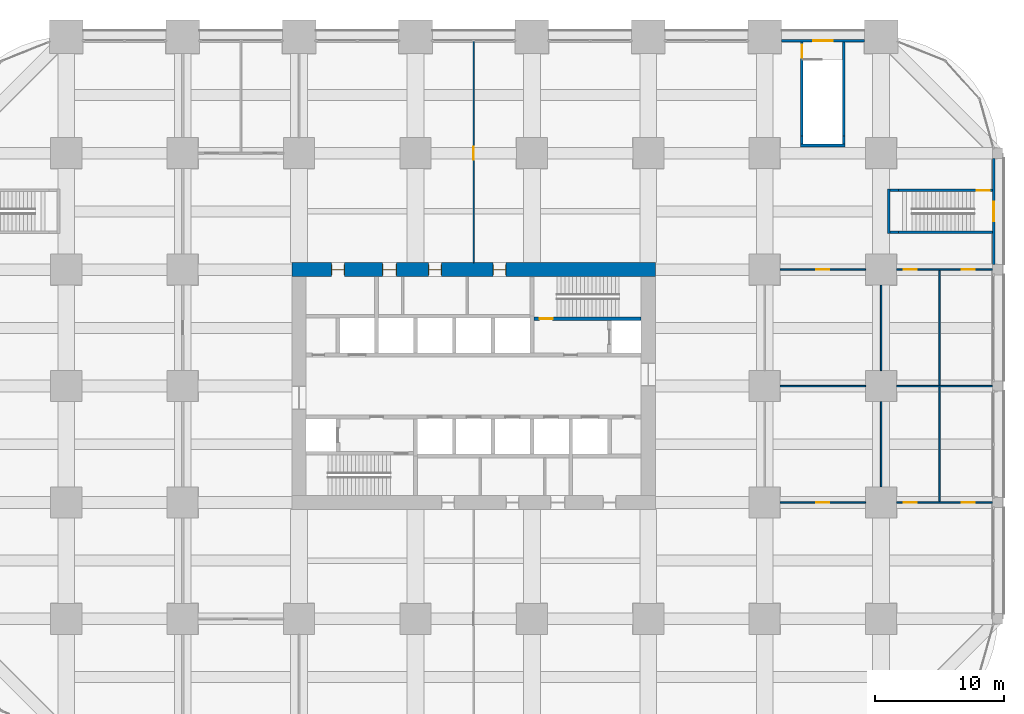
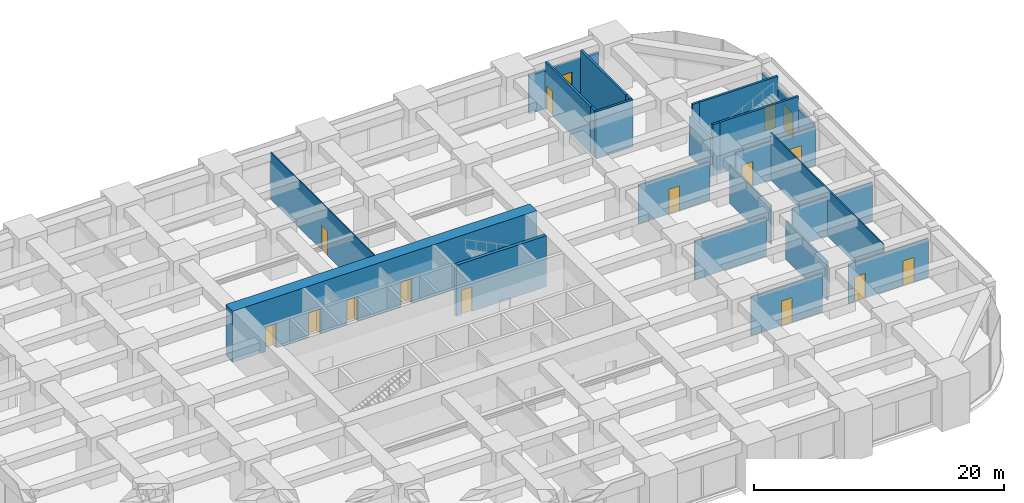
# One storey, part 43 of 46: 24 walls, 14 doors, 2 windows, 16 openings.
"""IFC4 building model written with IfcOpenShell, lengths in metres."""

from ifc_helpers import new_model, si_unit, direction, frame, frame_2d, origin, place, context, subcontext, project, spatial, rectangle, extrude, material, layer, layer_set, type_object, element, fill, save


model = new_model("IFC4")

# Units and contexts
model_context = context("Model", 3, precision=1e-05, world=origin(), true_north=direction((0.0, 1.0)))
body_context = subcontext(model_context, "Body", "Model", "MODEL_VIEW")
ifc_project = project(units=[si_unit("LENGTHUNIT", "METRE"), si_unit("AREAUNIT", "SQUARE_METRE"), si_unit("VOLUMEUNIT", "CUBIC_METRE"), si_unit("PLANEANGLEUNIT", "RADIAN"), si_unit("MASSUNIT", "GRAM", prefix="KILO")], contexts=[model_context])

# Site, building, storey
site_placement = place(None, origin())
site = spatial("IfcSite", under=ifc_project, at=site_placement, CompositionType="ELEMENT")
building_placement = place(site_placement, origin())
building = spatial("IfcBuilding", under=site, at=building_placement, Name="Zorevar Civic Tower", CompositionType="ELEMENT")
storey_placement = place(building_placement, frame((0.0, 0.0, 10.800048828125)))
storey = spatial("IfcBuildingStorey", under=building, at=storey_placement, Name="L02", CompositionType="ELEMENT", Elevation=10.800048828125)

# Walls
ifc_material_1 = material(Name="Concrete blockwork", Category="masonry")
ifc_layer_1 = layer(ifc_material_1, 0.199951171875)
ifc_layer_set_1 = layer_set([ifc_layer_1], Name="Blockwork wall 200")
wall_type_1 = type_object("IfcWallType", Name="Blockwork wall 200", PredefinedType="SOLIDWALL", material=ifc_layer_set_1)
for number, where, z_axis, x_axis, name in (
    (1, (64.35009765625, 42.125, 0.0), (0.0, 0.0, 1.0), (-1.0, 0.0, 0.0), "Escape stair PS2 enclosure L02"),
    (2, (64.35009765625, 38.875, 0.0), (0.0, 0.0, 1.0), (-1.0, 0.0, 0.0), "Escape stair PS2 enclosure L02"),
):
    element("IfcWall", number, at=place(storey_placement, frame(where, z_axis=z_axis, x_axis=x_axis)), inside=storey, type_object=wall_type_1, Name=name, PredefinedType="SOLIDWALL", context=body_context, shape_type="SweptSolid", body=[
        extrude(rectangle(XDim=0.650146484375, YDim=0.199951171875, at=frame_2d((0.3251953125, 0.0))), origin(), (0.0, 0.0, 1.0), 5.0),
    ])
wall_1_placement = place(storey_placement, frame((63.60009765625, 42.22509765625, 0.0), z_axis=(0.0, 0.0, 1.0), x_axis=(0.0, -1.0, 0.0)))
element("IfcWall", 3, at=wall_1_placement, inside=storey, type_object=wall_type_1, Name="Escape stair PS2 enclosure L02", PredefinedType="SOLIDWALL", context=body_context, shape_type="SweptSolid", body=[
    extrude(rectangle(XDim=3.4501953125, YDim=0.199951171875, at=frame_2d((1.72509765625, 0.0))), origin(), (0.0, 0.0, 1.0), 3.800048828125),
])
for number, where, z_axis, x_axis, name in (
    (4, (56.875, 46.35009765625, 0.0), (0.0, 0.0, 1.0), (0.0, -1.0, 0.0), "Escape stair PS3 enclosure L02"),
    (5, (60.125, 46.35009765625, 0.0), (0.0, 0.0, 1.0), (0.0, -1.0, 0.0), "Escape stair PS3 enclosure L02"),
):
    element("IfcWall", number, at=place(storey_placement, frame(where, z_axis=z_axis, x_axis=x_axis)), inside=storey, type_object=wall_type_1, Name=name, PredefinedType="SOLIDWALL", context=body_context, shape_type="SweptSolid", body=[
        extrude(rectangle(XDim=0.650146484375, YDim=0.199951171875, at=frame_2d((0.3251953125, 0.0))), origin(), (0.0, 0.0, 1.0), 4.599853515625),
    ])
wall_2_placement = place(storey_placement, frame((56.77490234375, 45.60009765625, 0.0), z_axis=(0.0, 0.0, 1.0), x_axis=(1.0, 0.0, 0.0)))
element("IfcWall", 6, at=wall_2_placement, inside=storey, type_object=wall_type_1, Name="Escape stair PS3 enclosure L02", PredefinedType="SOLIDWALL", context=body_context, shape_type="SweptSolid", body=[
    extrude(rectangle(XDim=3.4501953125, YDim=0.199951171875, at=frame_2d((1.72509765625, 0.0))), origin(), (0.0, 0.0, 1.0), 4.599853515625),
])

# Wall, openings, doors
ifc_material_2 = material(Name="Concrete C50/60", Category="concrete")
ifc_layer_2 = layer(ifc_material_2, 1.10009765625)
ifc_layer_set_2 = layer_set([ifc_layer_2], Name="Core wall 1100")
wall_type_2 = type_object("IfcWallType", Name="Core wall 1100", PredefinedType="SHEAR", material=ifc_layer_set_2)
wall_3_placement = place(storey_placement, frame((45.550048828125, 36.0, 0.0), z_axis=(0.0, 0.0, 1.0), x_axis=(-1.0, 0.0, 0.0)))
wall_3 = element("IfcWall", 7, at=wall_3_placement, inside=storey, type_object=wall_type_2, Name="Core wall N L02", PredefinedType="SHEAR", context=body_context, shape_type="SweptSolid", body=[
    extrude(rectangle(XDim=28.10009765625, YDim=1.10009765625, at=frame_2d((14.050048828125, 0.0))), origin(), (0.0, 0.0, 1.0), 5.0),
])
opening_1_placement = place(wall_3_placement, frame((11.550048828125, 0.0, 0.0)))
opening_1 = element("IfcOpeningElement", 8, at=opening_1_placement, cuts=wall_3, Name="Opening L02.07", PredefinedType="OPENING", context=body_context, shape_type="SweptSolid", body=[
    extrude(rectangle(XDim=1.0, YDim=2.39990234375, at=frame_2d((0.5, 1.199951171875))), frame((0.0, 0.56005859375, 0.0), z_axis=(0.0, -1.0, 0.0), x_axis=(1.0, 0.0, 0.0)), (0.0, 0.0, 1.0), 1.1201171875),
])
opening_2_placement = place(wall_3_placement, frame((16.550048828125, 0.0, 0.0)))
opening_2 = element("IfcOpeningElement", 9, at=opening_2_placement, cuts=wall_3, Name="Opening L02.08", PredefinedType="OPENING", context=body_context, shape_type="SweptSolid", body=[
    extrude(rectangle(XDim=1.0, YDim=2.39990234375, at=frame_2d((0.5, 1.199951171875))), frame((0.0, 0.56005859375, 0.0), z_axis=(0.0, -1.0, 0.0), x_axis=(1.0, 0.0, 0.0)), (0.0, 0.0, 1.0), 1.1201171875),
])
opening_3_placement = place(wall_3_placement, frame((20.0, 0.0, 0.0)))
opening_3 = element("IfcOpeningElement", 10, at=opening_3_placement, cuts=wall_3, Name="Opening L02.09", PredefinedType="OPENING", context=body_context, shape_type="SweptSolid", body=[
    extrude(rectangle(XDim=1.10009765625, YDim=2.39990234375, at=frame_2d((0.550048828125, 1.199951171875))), frame((0.0, 0.56005859375, 0.0), z_axis=(0.0, -1.0, 0.0), x_axis=(1.0, 0.0, 0.0)), (0.0, 0.0, 1.0), 1.1201171875),
])
opening_4_placement = place(wall_3_placement, frame((24.050048828125, 0.0, 0.0)))
opening_4 = element("IfcOpeningElement", 11, at=opening_4_placement, cuts=wall_3, Name="Opening L02.10", PredefinedType="OPENING", context=body_context, shape_type="SweptSolid", body=[
    extrude(rectangle(XDim=1.0, YDim=2.39990234375, at=frame_2d((0.5, 1.199951171875))), frame((0.0, 0.56005859375, 0.0), z_axis=(0.0, -1.0, 0.0), x_axis=(1.0, 0.0, 0.0)), (0.0, 0.0, 1.0), 1.1201171875),
])
ifc_material_3 = material(Name="Timber door set", Category="wood")
door_type_1 = type_object("IfcDoorType", Name="Door D1 1000x2400", OperationType="SINGLE_SWING_LEFT", PredefinedType="DOOR", material=ifc_material_3)
door_1_placement = place(opening_1_placement, origin())
door_1 = element("IfcDoor", 12, at=door_1_placement, inside=storey, type_object=door_type_1, Name="Door L02 06", OperationType="SINGLE_SWING_LEFT", OverallHeight=2.39990234375, OverallWidth=1.0, PredefinedType="DOOR", context=body_context, shape_type="SweptSolid", body=[
    extrude(rectangle(XDim=1.0, YDim=2.39990234375, at=frame_2d((0.5, 1.199951171875))), frame((0.0, 0.02490234375, 0.0), z_axis=(0.0, -1.0, 0.0), x_axis=(1.0, 0.0, 0.0)), (0.0, 0.0, 1.0), 0.050048828125),
    extrude(rectangle(XDim=0.04, YDim=2.39990234375, at=frame_2d((0.02001953125, 1.199951171875))), frame((0.0, 0.39990234375, 0.0), z_axis=(0.0, -1.0, 0.0), x_axis=(1.0, 0.0, 0.0)), (0.0, 0.0, 1.0), 0.800048828125),
    extrude(rectangle(XDim=0.04, YDim=2.39990234375, at=frame_2d((0.97998046875, 1.199951171875))), frame((0.0, 0.39990234375, 0.0), z_axis=(0.0, -1.0, 0.0), x_axis=(1.0, 0.0, 0.0)), (0.0, 0.0, 1.0), 0.800048828125),
    extrude(rectangle(XDim=1.0, YDim=0.04, at=frame_2d((0.5, 2.3798828125))), frame((0.0, 0.39990234375, 0.0), z_axis=(0.0, -1.0, 0.0), x_axis=(1.0, 0.0, 0.0)), (0.0, 0.0, 1.0), 0.800048828125),
])
fill(opening_1, door_1)
door_2_placement = place(opening_2_placement, origin())
door_2 = element("IfcDoor", 13, at=door_2_placement, inside=storey, type_object=door_type_1, Name="Door L02 07", OperationType="SINGLE_SWING_RIGHT", OverallHeight=2.39990234375, OverallWidth=1.0, PredefinedType="DOOR", context=body_context, shape_type="SweptSolid", body=[
    extrude(rectangle(XDim=1.0, YDim=2.39990234375, at=frame_2d((0.5, 1.199951171875))), frame((0.0, 0.02490234375, 0.0), z_axis=(0.0, -1.0, 0.0), x_axis=(1.0, 0.0, 0.0)), (0.0, 0.0, 1.0), 0.050048828125),
    extrude(rectangle(XDim=0.04, YDim=2.39990234375, at=frame_2d((0.02001953125, 1.199951171875))), frame((0.0, 0.39990234375, 0.0), z_axis=(0.0, -1.0, 0.0), x_axis=(1.0, 0.0, 0.0)), (0.0, 0.0, 1.0), 0.800048828125),
    extrude(rectangle(XDim=0.04, YDim=2.39990234375, at=frame_2d((0.97998046875, 1.199951171875))), frame((0.0, 0.39990234375, 0.0), z_axis=(0.0, -1.0, 0.0), x_axis=(1.0, 0.0, 0.0)), (0.0, 0.0, 1.0), 0.800048828125),
    extrude(rectangle(XDim=1.0, YDim=0.04, at=frame_2d((0.5, 2.3798828125))), frame((0.0, 0.39990234375, 0.0), z_axis=(0.0, -1.0, 0.0), x_axis=(1.0, 0.0, 0.0)), (0.0, 0.0, 1.0), 0.800048828125),
])
fill(opening_2, door_2)
door_3_placement = place(opening_4_placement, origin())
door_3 = element("IfcDoor", 14, at=door_3_placement, inside=storey, type_object=door_type_1, Name="Door L02 09", OperationType="SINGLE_SWING_RIGHT", OverallHeight=2.39990234375, OverallWidth=1.0, PredefinedType="DOOR", context=body_context, shape_type="SweptSolid", body=[
    extrude(rectangle(XDim=1.0, YDim=2.39990234375, at=frame_2d((0.5, 1.199951171875))), frame((0.0, 0.02490234375, 0.0), z_axis=(0.0, -1.0, 0.0), x_axis=(1.0, 0.0, 0.0)), (0.0, 0.0, 1.0), 0.050048828125),
    extrude(rectangle(XDim=0.04, YDim=2.39990234375, at=frame_2d((0.02001953125, 1.199951171875))), frame((0.0, 0.39990234375, 0.0), z_axis=(0.0, -1.0, 0.0), x_axis=(1.0, 0.0, 0.0)), (0.0, 0.0, 1.0), 0.800048828125),
    extrude(rectangle(XDim=0.04, YDim=2.39990234375, at=frame_2d((0.97998046875, 1.199951171875))), frame((0.0, 0.39990234375, 0.0), z_axis=(0.0, -1.0, 0.0), x_axis=(1.0, 0.0, 0.0)), (0.0, 0.0, 1.0), 0.800048828125),
    extrude(rectangle(XDim=1.0, YDim=0.04, at=frame_2d((0.5, 2.3798828125))), frame((0.0, 0.39990234375, 0.0), z_axis=(0.0, -1.0, 0.0), x_axis=(1.0, 0.0, 0.0)), (0.0, 0.0, 1.0), 0.800048828125),
])
fill(opening_4, door_3)
ifc_material_4 = material(Name="Timber door set", Category="wood")
door_type_2 = type_object("IfcDoorType", Name="Door D5 1100x2400", OperationType="SINGLE_SWING_LEFT", PredefinedType="DOOR", material=ifc_material_4)
door_4_placement = place(opening_3_placement, origin())
door_4 = element("IfcDoor", 15, at=door_4_placement, inside=storey, type_object=door_type_2, Name="Door L02 08", OperationType="SINGLE_SWING_RIGHT", OverallHeight=2.39990234375, OverallWidth=1.10009765625, PredefinedType="DOOR", context=body_context, shape_type="SweptSolid", body=[
    extrude(rectangle(XDim=1.10009765625, YDim=2.39990234375, at=frame_2d((0.550048828125, 1.199951171875))), frame((0.0, 0.02490234375, 0.0), z_axis=(0.0, -1.0, 0.0), x_axis=(1.0, 0.0, 0.0)), (0.0, 0.0, 1.0), 0.050048828125),
    extrude(rectangle(XDim=0.04, YDim=2.39990234375, at=frame_2d((0.02001953125, 1.199951171875))), frame((0.0, 0.43994140625, 0.0), z_axis=(0.0, -1.0, 0.0), x_axis=(1.0, 0.0, 0.0)), (0.0, 0.0, 1.0), 0.880126953125),
    extrude(rectangle(XDim=0.04, YDim=2.39990234375, at=frame_2d((1.080078125, 1.199951171875))), frame((0.0, 0.43994140625, 0.0), z_axis=(0.0, -1.0, 0.0), x_axis=(1.0, 0.0, 0.0)), (0.0, 0.0, 1.0), 0.880126953125),
    extrude(rectangle(XDim=1.10009765625, YDim=0.04, at=frame_2d((0.550048828125, 2.3798828125))), frame((0.0, 0.43994140625, 0.0), z_axis=(0.0, -1.0, 0.0), x_axis=(1.0, 0.0, 0.0)), (0.0, 0.0, 1.0), 0.880126953125),
])
fill(opening_3, door_4)

# Wall, opening, door
ifc_material_5 = material(Name="Laminated glass in black aluminium frame", Category="aluminium")
ifc_layer_3 = layer(ifc_material_5, 0.10009765625)
ifc_layer_set_3 = layer_set([ifc_layer_3], Name="Glazed partition 100")
wall_type_3 = type_object("IfcWallType", Name="Glazed partition 100", PredefinedType="PARTITIONING", material=ifc_layer_set_3)
wall_4_placement = place(storey_placement, frame((31.5, 36.550048828125, 0.0), z_axis=(0.0, 0.0, 1.0), x_axis=(0.0, 1.0, 0.0)))
wall_4 = element("IfcWall", 16, at=wall_4_placement, inside=storey, type_object=wall_type_3, Name="Glazed partition 100 L02", PredefinedType="PARTITIONING", context=body_context, shape_type="SweptSolid", body=[
    extrude(rectangle(XDim=17.139892578125, YDim=0.10009765625, at=frame_2d((8.56982421875, 0.0))), origin(), (0.0, 0.0, 1.0), 4.599853515625),
])
opening_5_placement = place(wall_4_placement, frame((7.949951171875, 0.0, 0.0)))
opening_5 = element("IfcOpeningElement", 17, at=opening_5_placement, cuts=wall_4, Name="Opening L02.28", PredefinedType="OPENING", context=body_context, shape_type="SweptSolid", body=[
    extrude(rectangle(XDim=1.0, YDim=2.39990234375, at=frame_2d((0.5, 1.199951171875))), frame((0.0, 0.06005859375, 0.0), z_axis=(0.0, -1.0, 0.0), x_axis=(1.0, 0.0, 0.0)), (0.0, 0.0, 1.0), 0.1201171875),
])
ifc_material_6 = material(Name="Timber door set", Category="wood")
door_type_3 = type_object("IfcDoorType", Name="Glazed door GD1 1000x2400", OperationType="SINGLE_SWING_LEFT", PredefinedType="DOOR", material=ifc_material_6)
door_5_placement = place(opening_5_placement, origin())
door_5 = element("IfcDoor", 18, at=door_5_placement, inside=storey, type_object=door_type_3, Name="Door L02 D12", OperationType="SINGLE_SWING_LEFT", OverallHeight=2.39990234375, OverallWidth=1.0, PredefinedType="DOOR", context=body_context, shape_type="SweptSolid", body=[
    extrude(rectangle(XDim=1.0, YDim=2.39990234375, at=frame_2d((0.5, 1.199951171875))), frame((0.0, 0.02001953125, 0.0), z_axis=(0.0, -1.0, 0.0), x_axis=(1.0, 0.0, 0.0)), (0.0, 0.0, 1.0), 0.0400390625),
])
fill(opening_5, door_5)

ifc_material_7 = material(Name="Concrete C40/50", Category="concrete")
ifc_layer_4 = layer(ifc_material_7, 0.300048828125)
ifc_layer_set_4 = layer_set([ifc_layer_4], Name="Inner core wall 300")
wall_type_4 = type_object("IfcWallType", Name="Inner core wall 300", PredefinedType="SHEAR", material=ifc_layer_set_4)
wall_5_placement = place(storey_placement, frame((36.14990234375, 32.199951171875, 0.0), z_axis=(0.0, 0.0, 1.0), x_axis=(1.0, 0.0, 0.0)))
wall_5 = element("IfcWall", 19, at=wall_5_placement, inside=storey, type_object=wall_type_4, Name="Inner core wall N00 L02", PredefinedType="SHEAR", context=body_context, shape_type="SweptSolid", body=[
    extrude(rectangle(XDim=8.300048828125, YDim=0.300048828125, at=frame_2d((4.14990234375, 0.0))), origin(), (0.0, 0.0, 1.0), 5.0),
])
opening_6_placement = place(wall_5_placement, frame((0.449951171875, 0.0, 0.0)))
opening_6 = element("IfcOpeningElement", 20, at=opening_6_placement, cuts=wall_5, Name="Opening L02.12", PredefinedType="OPENING", context=body_context, shape_type="SweptSolid", body=[
    extrude(rectangle(XDim=1.0, YDim=2.39990234375, at=frame_2d((0.5, 1.199951171875))), frame((0.0, 0.159912109375, 0.0), z_axis=(0.0, -1.0, 0.0), x_axis=(1.0, 0.0, 0.0)), (0.0, 0.0, 1.0), 0.320068359375),
])
ifc_material_8 = material(Name="Steel door set", Category="steel")
door_type_4 = type_object("IfcDoorType", Name="Fire door FD1 1000x2400", OperationType="SINGLE_SWING_LEFT", PredefinedType="DOOR", material=ifc_material_8)
door_6_placement = place(opening_6_placement, origin())
door_6 = element("IfcDoor", 21, at=door_6_placement, inside=storey, type_object=door_type_4, Name="Door L02 11", OperationType="SINGLE_SWING_RIGHT", OverallHeight=2.39990234375, OverallWidth=1.0, PredefinedType="DOOR", context=body_context, shape_type="SweptSolid", body=[
    extrude(rectangle(XDim=1.0, YDim=2.39990234375, at=frame_2d((0.5, 1.199951171875))), frame((0.0, 0.030029296875, 0.0), z_axis=(0.0, -1.0, 0.0), x_axis=(1.0, 0.0, 0.0)), (0.0, 0.0, 1.0), 0.06005859375),
])
fill(opening_6, door_6)

ifc_material_9 = material(Name="Gypsum board on steel studs", Category="steel")
ifc_layer_5 = layer(ifc_material_9, 0.1201171875)
ifc_layer_set_5 = layer_set([ifc_layer_5], Name="Partition 120")
wall_type_5 = type_object("IfcWallType", Name="Partition 120", PredefinedType="PARTITIONING", material=ifc_layer_set_5)
wall_6_placement = place(storey_placement, frame((55.199951171875, 18.0, 0.0), z_axis=(0.0, 0.0, 1.0), x_axis=(1.0, 0.0, 0.0)))
wall_6 = element("IfcWall", 22, at=wall_6_placement, inside=storey, type_object=wall_type_5, Name="Partition 120 L02", PredefinedType="PARTITIONING", context=body_context, shape_type="SweptSolid", body=[
    extrude(rectangle(XDim=6.60009765625, YDim=0.1201171875, at=frame_2d((3.300048828125, 0.0))), origin(), (0.0, 0.0, 1.0), 3.800048828125),
])
opening_7_placement = place(wall_6_placement, frame((2.800048828125, 0.0, 0.0)))
opening_7 = element("IfcOpeningElement", 23, at=opening_7_placement, cuts=wall_6, Name="Opening L02.21", PredefinedType="OPENING", context=body_context, shape_type="SweptSolid", body=[
    extrude(rectangle(XDim=1.0, YDim=2.39990234375, at=frame_2d((0.5, 1.199951171875))), frame((0.0, 0.070068359375, 0.0), z_axis=(0.0, -1.0, 0.0), x_axis=(1.0, 0.0, 0.0)), (0.0, 0.0, 1.0), 0.14013671875),
])
door_7_placement = place(opening_7_placement, origin())
door_7 = element("IfcDoor", 24, at=door_7_placement, inside=storey, type_object=door_type_1, Name="Door L02 D5", OperationType="SINGLE_SWING_RIGHT", OverallHeight=2.39990234375, OverallWidth=1.0, PredefinedType="DOOR", context=body_context, shape_type="SweptSolid", body=[
    extrude(rectangle(XDim=1.0, YDim=2.39990234375, at=frame_2d((0.5, 1.199951171875))), frame((0.0, 0.02490234375, 0.0), z_axis=(0.0, -1.0, 0.0), x_axis=(1.0, 0.0, 0.0)), (0.0, 0.0, 1.0), 0.050048828125),
])
fill(opening_7, door_7)

# Wall, openings, doors
wall_7_placement = place(storey_placement, frame((64.199951171875, 18.0, 0.0), z_axis=(0.0, 0.0, 1.0), x_axis=(1.0, 0.0, 0.0)))
wall_7 = element("IfcWall", 25, at=wall_7_placement, inside=storey, type_object=wall_type_5, Name="Partition 120 L02", PredefinedType="PARTITIONING", context=body_context, shape_type="SweptSolid", body=[
    extrude(rectangle(XDim=7.400146484375, YDim=0.1201171875, at=frame_2d((3.7001953125, 0.0))), origin(), (0.0, 0.0, 1.0), 3.800048828125),
])
opening_8_placement = place(wall_7_placement, frame((0.550048828125, 0.0, 0.0)))
opening_8 = element("IfcOpeningElement", 26, at=opening_8_placement, cuts=wall_7, Name="Opening L02.22", PredefinedType="OPENING", context=body_context, shape_type="SweptSolid", body=[
    extrude(rectangle(XDim=1.0, YDim=2.39990234375, at=frame_2d((0.5, 1.199951171875))), frame((0.0, 0.070068359375, 0.0), z_axis=(0.0, -1.0, 0.0), x_axis=(1.0, 0.0, 0.0)), (0.0, 0.0, 1.0), 0.14013671875),
])
opening_9_placement = place(wall_7_placement, frame((5.050048828125, 0.0, 0.0)))
opening_9 = element("IfcOpeningElement", 27, at=opening_9_placement, cuts=wall_7, Name="Opening L02.23", PredefinedType="OPENING", context=body_context, shape_type="SweptSolid", body=[
    extrude(rectangle(XDim=1.0, YDim=2.39990234375, at=frame_2d((0.5, 1.199951171875))), frame((0.0, 0.070068359375, 0.0), z_axis=(0.0, -1.0, 0.0), x_axis=(1.0, 0.0, 0.0)), (0.0, 0.0, 1.0), 0.14013671875),
])
door_8_placement = place(opening_8_placement, origin())
door_8 = element("IfcDoor", 28, at=door_8_placement, inside=storey, type_object=door_type_1, Name="Door L02 D6", OperationType="SINGLE_SWING_LEFT", OverallHeight=2.39990234375, OverallWidth=1.0, PredefinedType="DOOR", context=body_context, shape_type="SweptSolid", body=[
    extrude(rectangle(XDim=1.0, YDim=2.39990234375, at=frame_2d((0.5, 1.199951171875))), frame((0.0, 0.02490234375, 0.0), z_axis=(0.0, -1.0, 0.0), x_axis=(1.0, 0.0, 0.0)), (0.0, 0.0, 1.0), 0.050048828125),
])
fill(opening_8, door_8)
door_9_placement = place(opening_9_placement, origin())
door_9 = element("IfcDoor", 29, at=door_9_placement, inside=storey, type_object=door_type_1, Name="Door L02 D7", OperationType="SINGLE_SWING_RIGHT", OverallHeight=2.39990234375, OverallWidth=1.0, PredefinedType="DOOR", context=body_context, shape_type="SweptSolid", body=[
    extrude(rectangle(XDim=1.0, YDim=2.39990234375, at=frame_2d((0.5, 1.199951171875))), frame((0.0, 0.02490234375, 0.0), z_axis=(0.0, -1.0, 0.0), x_axis=(1.0, 0.0, 0.0)), (0.0, 0.0, 1.0), 0.050048828125),
])
fill(opening_9, door_9)

# Wall, opening, door
wall_8_placement = place(storey_placement, frame((55.199951171875, 36.0, 0.0), z_axis=(0.0, 0.0, 1.0), x_axis=(1.0, 0.0, 0.0)))
wall_8 = element("IfcWall", 30, at=wall_8_placement, inside=storey, type_object=wall_type_5, Name="Partition 120 L02", PredefinedType="PARTITIONING", context=body_context, shape_type="SweptSolid", body=[
    extrude(rectangle(XDim=6.60009765625, YDim=0.1201171875, at=frame_2d((3.300048828125, 0.0))), origin(), (0.0, 0.0, 1.0), 3.800048828125),
])
opening_10_placement = place(wall_8_placement, frame((2.800048828125, 0.0, 0.0)))
opening_10 = element("IfcOpeningElement", 31, at=opening_10_placement, cuts=wall_8, Name="Opening L02.24", PredefinedType="OPENING", context=body_context, shape_type="SweptSolid", body=[
    extrude(rectangle(XDim=1.0, YDim=2.39990234375, at=frame_2d((0.5, 1.199951171875))), frame((0.0, 0.070068359375, 0.0), z_axis=(0.0, -1.0, 0.0), x_axis=(1.0, 0.0, 0.0)), (0.0, 0.0, 1.0), 0.14013671875),
])
door_10_placement = place(opening_10_placement, origin())
door_10 = element("IfcDoor", 32, at=door_10_placement, inside=storey, type_object=door_type_1, Name="Door L02 D8", OperationType="SINGLE_SWING_RIGHT", OverallHeight=2.39990234375, OverallWidth=1.0, PredefinedType="DOOR", context=body_context, shape_type="SweptSolid", body=[
    extrude(rectangle(XDim=1.0, YDim=2.39990234375, at=frame_2d((0.5, 1.199951171875))), frame((0.0, 0.02490234375, 0.0), z_axis=(0.0, -1.0, 0.0), x_axis=(1.0, 0.0, 0.0)), (0.0, 0.0, 1.0), 0.050048828125),
])
fill(opening_10, door_10)

# Wall, openings, doors
wall_9_placement = place(storey_placement, frame((64.199951171875, 36.0, 0.0), z_axis=(0.0, 0.0, 1.0), x_axis=(1.0, 0.0, 0.0)))
wall_9 = element("IfcWall", 33, at=wall_9_placement, inside=storey, type_object=wall_type_5, Name="Partition 120 L02", PredefinedType="PARTITIONING", context=body_context, shape_type="SweptSolid", body=[
    extrude(rectangle(XDim=7.400146484375, YDim=0.1201171875, at=frame_2d((3.7001953125, 0.0))), origin(), (0.0, 0.0, 1.0), 3.800048828125),
])
opening_11_placement = place(wall_9_placement, frame((0.550048828125, 0.0, 0.0)))
opening_11 = element("IfcOpeningElement", 34, at=opening_11_placement, cuts=wall_9, Name="Opening L02.25", PredefinedType="OPENING", context=body_context, shape_type="SweptSolid", body=[
    extrude(rectangle(XDim=1.0, YDim=2.39990234375, at=frame_2d((0.5, 1.199951171875))), frame((0.0, 0.070068359375, 0.0), z_axis=(0.0, -1.0, 0.0), x_axis=(1.0, 0.0, 0.0)), (0.0, 0.0, 1.0), 0.14013671875),
])
opening_12_placement = place(wall_9_placement, frame((5.050048828125, 0.0, 0.0)))
opening_12 = element("IfcOpeningElement", 35, at=opening_12_placement, cuts=wall_9, Name="Opening L02.26", PredefinedType="OPENING", context=body_context, shape_type="SweptSolid", body=[
    extrude(rectangle(XDim=1.0, YDim=2.39990234375, at=frame_2d((0.5, 1.199951171875))), frame((0.0, 0.070068359375, 0.0), z_axis=(0.0, -1.0, 0.0), x_axis=(1.0, 0.0, 0.0)), (0.0, 0.0, 1.0), 0.14013671875),
])
door_11_placement = place(opening_11_placement, origin())
door_11 = element("IfcDoor", 36, at=door_11_placement, inside=storey, type_object=door_type_1, Name="Door L02 D9", OperationType="SINGLE_SWING_RIGHT", OverallHeight=2.39990234375, OverallWidth=1.0, PredefinedType="DOOR", context=body_context, shape_type="SweptSolid", body=[
    extrude(rectangle(XDim=1.0, YDim=2.39990234375, at=frame_2d((0.5, 1.199951171875))), frame((0.0, 0.02490234375, 0.0), z_axis=(0.0, -1.0, 0.0), x_axis=(1.0, 0.0, 0.0)), (0.0, 0.0, 1.0), 0.050048828125),
])
fill(opening_11, door_11)
door_12_placement = place(opening_12_placement, origin())
door_12 = element("IfcDoor", 37, at=door_12_placement, inside=storey, type_object=door_type_1, Name="Door L02 D10", OperationType="SINGLE_SWING_LEFT", OverallHeight=2.39990234375, OverallWidth=1.0, PredefinedType="DOOR", context=body_context, shape_type="SweptSolid", body=[
    extrude(rectangle(XDim=1.0, YDim=2.39990234375, at=frame_2d((0.5, 1.199951171875))), frame((0.0, 0.02490234375, 0.0), z_axis=(0.0, -1.0, 0.0), x_axis=(1.0, 0.0, 0.0)), (0.0, 0.0, 1.0), 0.050048828125),
])
fill(opening_12, door_12)

# Walls
wall_10_placement = place(storey_placement, frame((55.199951171875, 27.0, 0.0), z_axis=(0.0, 0.0, 1.0), x_axis=(1.0, 0.0, 0.0)))
element("IfcWall", 38, at=wall_10_placement, inside=storey, type_object=wall_type_5, Name="Partition 120 L02", PredefinedType="PARTITIONING", context=body_context, shape_type="SweptSolid", body=[
    extrude(rectangle(XDim=6.60009765625, YDim=0.1201171875, at=frame_2d((3.300048828125, 0.0))), origin(), (0.0, 0.0, 1.0), 3.800048828125),
])
wall_11_placement = place(storey_placement, frame((64.199951171875, 27.0, 0.0), z_axis=(0.0, 0.0, 1.0), x_axis=(1.0, 0.0, 0.0)))
element("IfcWall", 39, at=wall_11_placement, inside=storey, type_object=wall_type_5, Name="Partition 120 L02", PredefinedType="PARTITIONING", context=body_context, shape_type="SweptSolid", body=[
    extrude(rectangle(XDim=7.400146484375, YDim=0.1201171875, at=frame_2d((3.7001953125, 0.0))), origin(), (0.0, 0.0, 1.0), 3.800048828125),
])
for number, where, z_axis, x_axis, name in (
    (40, (63.0, 19.199951171875, 0.0), (0.0, 0.0, 1.0), (0.0, 1.0, 0.0), "Partition 120 L02"),
    (41, (63.0, 28.199951171875, 0.0), (0.0, 0.0, 1.0), (0.0, 1.0, 0.0), "Partition 120 L02"),
):
    element("IfcWall", number, at=place(storey_placement, frame(where, z_axis=z_axis, x_axis=x_axis)), inside=storey, type_object=wall_type_5, Name=name, PredefinedType="PARTITIONING", context=body_context, shape_type="SweptSolid", body=[
        extrude(rectangle(XDim=6.60009765625, YDim=0.1201171875, at=frame_2d((3.300048828125, 0.0))), origin(), (0.0, 0.0, 1.0), 3.800048828125),
    ])
wall_12_placement = place(storey_placement, frame((67.5, 18.0, 0.0), z_axis=(0.0, 0.0, 1.0), x_axis=(0.0, 1.0, 0.0)))
element("IfcWall", 42, at=wall_12_placement, inside=storey, type_object=wall_type_5, Name="Partition 120 L02", PredefinedType="PARTITIONING", context=body_context, shape_type="SweptSolid", body=[
    extrude(rectangle(XDim=18.0, YDim=0.1201171875, at=frame_2d((9.0, 0.0))), origin(), (0.0, 0.0, 1.0), 4.599853515625),
])

# Wall, opening, window
ifc_material_10 = material(Name="Black metal-faced insulated panel", Category="aluminium")
ifc_layer_6 = layer(ifc_material_10, 0.179931640625)
ifc_layer_set_6 = layer_set([ifc_layer_6], Name="Screen wall 180")
wall_type_6 = type_object("IfcWallType", Name="Screen wall 180", PredefinedType="SOLIDWALL", material=ifc_layer_set_6)
wall_13_placement = place(storey_placement, frame((55.300048828125, 53.699951171875, 0.0), z_axis=(0.0, 0.0, 1.0), x_axis=(1.0, 0.0, 0.0)))
wall_13 = element("IfcWall", 43, at=wall_13_placement, inside=storey, type_object=wall_type_6, Name="Screen wall L02 N54", PredefinedType="SOLIDWALL", context=body_context, shape_type="SweptSolid", body=[
    extrude(rectangle(XDim=6.39990234375, YDim=0.179931640625, at=frame_2d((3.199951171875, 0.0))), origin(), (0.0, 0.0, 1.0), 3.800048828125),
])
opening_13_placement = place(wall_13_placement, frame((2.449951171875, 0.0, 0.300048828125)))
opening_13 = element("IfcOpeningElement", 44, at=opening_13_placement, cuts=wall_13, Name="Opening WS1", PredefinedType="OPENING", context=body_context, shape_type="SweptSolid", body=[
    extrude(rectangle(XDim=1.5, YDim=2.39990234375, at=frame_2d((0.75, 1.199951171875))), frame((0.0, 0.099853515625, 0.0), z_axis=(0.0, -1.0, 0.0), x_axis=(1.0, 0.0, 0.0)), (0.0, 0.0, 1.0), 0.199951171875),
])
ifc_material_11 = material(Name="Black aluminium and dark glass", Category="aluminium")
window_type = type_object("IfcWindowType", Name="Window WS1 1500x2400", PartitioningType="SINGLE_PANEL", PredefinedType="WINDOW", material=ifc_material_11)
window_1_placement = place(opening_13_placement, origin())
window_1 = element("IfcWindow", 45, at=window_1_placement, inside=storey, type_object=window_type, Name="Stair window L02 N54", OverallHeight=2.39990234375, OverallWidth=1.5, PartitioningType="SINGLE_PANEL", PredefinedType="WINDOW", context=body_context, shape_type="SweptSolid", body=[
    extrude(rectangle(XDim=1.5, YDim=2.39990234375, at=frame_2d((0.75, 1.199951171875))), frame((0.0, 0.030029296875, 0.0), z_axis=(0.0, -1.0, 0.0), x_axis=(1.0, 0.0, 0.0)), (0.0, 0.0, 1.0), 0.06005859375),
])
fill(opening_13, window_1)

wall_14_placement = place(storey_placement, frame((71.699951171875, 36.39990234375, 0.0), z_axis=(0.0, 0.0, 1.0), x_axis=(0.0, 1.0, 0.0)))
wall_14 = element("IfcWall", 46, at=wall_14_placement, inside=storey, type_object=wall_type_6, Name="Screen wall L02 E36", PredefinedType="SOLIDWALL", context=body_context, shape_type="SweptSolid", body=[
    extrude(rectangle(XDim=8.2001953125, YDim=0.179931640625, at=frame_2d((4.10009765625, 0.0))), origin(), (0.0, 0.0, 1.0), 3.800048828125),
])
opening_14_placement = place(wall_14_placement, frame((3.35009765625, 0.0, 0.300048828125)))
opening_14 = element("IfcOpeningElement", 47, at=opening_14_placement, cuts=wall_14, Name="Opening WS1", PredefinedType="OPENING", context=body_context, shape_type="SweptSolid", body=[
    extrude(rectangle(XDim=1.5, YDim=2.39990234375, at=frame_2d((0.75, 1.199951171875))), frame((0.0, 0.099853515625, 0.0), z_axis=(0.0, -1.0, 0.0), x_axis=(1.0, 0.0, 0.0)), (0.0, 0.0, 1.0), 0.199951171875),
])
window_2_placement = place(opening_14_placement, origin())
window_2 = element("IfcWindow", 48, at=window_2_placement, inside=storey, type_object=window_type, Name="Stair window L02 E36", OverallHeight=2.39990234375, OverallWidth=1.5, PartitioningType="SINGLE_PANEL", PredefinedType="WINDOW", context=body_context, shape_type="SweptSolid", body=[
    extrude(rectangle(XDim=1.5, YDim=2.39990234375, at=frame_2d((0.75, 1.199951171875))), frame((0.0, 0.030029296875, 0.0), z_axis=(0.0, -1.0, 0.0), x_axis=(1.0, 0.0, 0.0)), (0.0, 0.0, 1.0), 0.06005859375),
])
fill(opening_14, window_2)

# Wall, opening, door
ifc_material_12 = material(Name="Concrete C30/37", Category="concrete")
ifc_layer_7 = layer(ifc_material_12, 0.199951171875)
ifc_layer_set_7 = layer_set([ifc_layer_7], Name="Stair enclosure wall 200")
wall_type_7 = type_object("IfcWallType", Name="Stair enclosure wall 200", PredefinedType="SOLIDWALL", material=ifc_layer_set_7)
wall_15_placement = place(storey_placement, frame((71.610107421875, 42.125, 0.0), z_axis=(0.0, 0.0, 1.0), x_axis=(-1.0, 0.0, 0.0)))
wall_15 = element("IfcWall", 49, at=wall_15_placement, inside=storey, type_object=wall_type_7, Name="Escape stair PS2 enclosure L02", PredefinedType="SOLIDWALL", context=body_context, shape_type="SweptSolid", body=[
    extrude(rectangle(XDim=7.260009765625, YDim=0.199951171875, at=frame_2d((3.6298828125, 0.0))), origin(), (0.0, 0.0, 1.0), 5.0),
])
opening_15_placement = place(wall_15_placement, frame((0.2099609375, 0.0, 0.0)))
opening_15 = element("IfcOpeningElement", 50, at=opening_15_placement, cuts=wall_15, Name="Opening L02.82", PredefinedType="OPENING", context=body_context, shape_type="SweptSolid", body=[
    extrude(rectangle(XDim=1.0, YDim=2.39990234375, at=frame_2d((0.5, 1.199951171875))), frame((0.0, 0.10986328125, 0.0), z_axis=(0.0, -1.0, 0.0), x_axis=(1.0, 0.0, 0.0)), (0.0, 0.0, 1.0), 0.219970703125),
])
door_13_placement = place(opening_15_placement, origin())
door_13 = element("IfcDoor", 51, at=door_13_placement, inside=storey, type_object=door_type_4, Name="Escape stair PS2 door L02", OperationType="SINGLE_SWING_RIGHT", OverallHeight=2.39990234375, OverallWidth=1.0, PredefinedType="DOOR", context=body_context, shape_type="SweptSolid", body=[
    extrude(rectangle(XDim=1.0, YDim=2.39990234375, at=frame_2d((0.5, 1.199951171875))), frame((0.0, 0.030029296875, 0.0), z_axis=(0.0, -1.0, 0.0), x_axis=(1.0, 0.0, 0.0)), (0.0, 0.0, 1.0), 0.06005859375),
])
fill(opening_15, door_13)

# Wall
wall_16_placement = place(storey_placement, frame((71.610107421875, 38.875, 0.0), z_axis=(0.0, 0.0, 1.0), x_axis=(-1.0, 0.0, 0.0)))
element("IfcWall", 52, at=wall_16_placement, inside=storey, type_object=wall_type_7, Name="Escape stair PS2 enclosure L02", PredefinedType="SOLIDWALL", context=body_context, shape_type="SweptSolid", body=[
    extrude(rectangle(XDim=7.260009765625, YDim=0.199951171875, at=frame_2d((3.6298828125, 0.0))), origin(), (0.0, 0.0, 1.0), 5.0),
])

# Wall, opening, door
wall_17_placement = place(storey_placement, frame((56.875, 53.610107421875, 0.0), z_axis=(0.0, 0.0, 1.0), x_axis=(0.0, -1.0, 0.0)))
wall_17 = element("IfcWall", 53, at=wall_17_placement, inside=storey, type_object=wall_type_7, Name="Escape stair PS3 enclosure L02", PredefinedType="SOLIDWALL", context=body_context, shape_type="SweptSolid", body=[
    extrude(rectangle(XDim=7.260009765625, YDim=0.199951171875, at=frame_2d((3.6298828125, 0.0))), origin(), (0.0, 0.0, 1.0), 4.599853515625),
])
opening_16_placement = place(wall_17_placement, frame((0.2099609375, 0.0, 0.0)))
opening_16 = element("IfcOpeningElement", 54, at=opening_16_placement, cuts=wall_17, Name="Opening L02.83", PredefinedType="OPENING", context=body_context, shape_type="SweptSolid", body=[
    extrude(rectangle(XDim=1.0, YDim=2.39990234375, at=frame_2d((0.5, 1.199951171875))), frame((0.0, 0.10986328125, 0.0), z_axis=(0.0, -1.0, 0.0), x_axis=(1.0, 0.0, 0.0)), (0.0, 0.0, 1.0), 0.219970703125),
])
door_14_placement = place(opening_16_placement, origin())
door_14 = element("IfcDoor", 55, at=door_14_placement, inside=storey, type_object=door_type_4, Name="Escape stair PS3 door L02", OperationType="SINGLE_SWING_RIGHT", OverallHeight=2.39990234375, OverallWidth=1.0, PredefinedType="DOOR", context=body_context, shape_type="SweptSolid", body=[
    extrude(rectangle(XDim=1.0, YDim=2.39990234375, at=frame_2d((0.5, 1.199951171875))), frame((0.0, 0.030029296875, 0.0), z_axis=(0.0, -1.0, 0.0), x_axis=(1.0, 0.0, 0.0)), (0.0, 0.0, 1.0), 0.06005859375),
])
fill(opening_16, door_14)

# Wall
wall_18_placement = place(storey_placement, frame((60.125, 53.610107421875, 0.0), z_axis=(0.0, 0.0, 1.0), x_axis=(0.0, -1.0, 0.0)))
element("IfcWall", 56, at=wall_18_placement, inside=storey, type_object=wall_type_7, Name="Escape stair PS3 enclosure L02", PredefinedType="SOLIDWALL", context=body_context, shape_type="SweptSolid", body=[
    extrude(rectangle(XDim=7.260009765625, YDim=0.199951171875, at=frame_2d((3.6298828125, 0.0))), origin(), (0.0, 0.0, 1.0), 4.599853515625),
])

save(model, "model.ifc")
